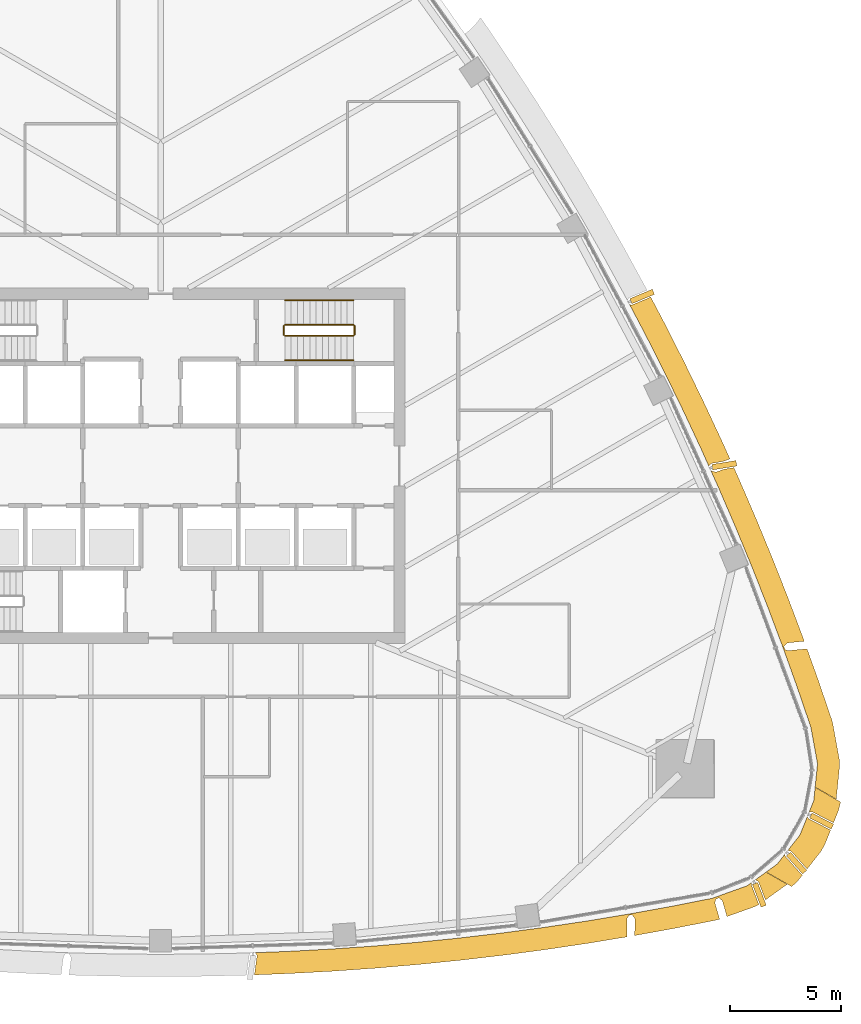
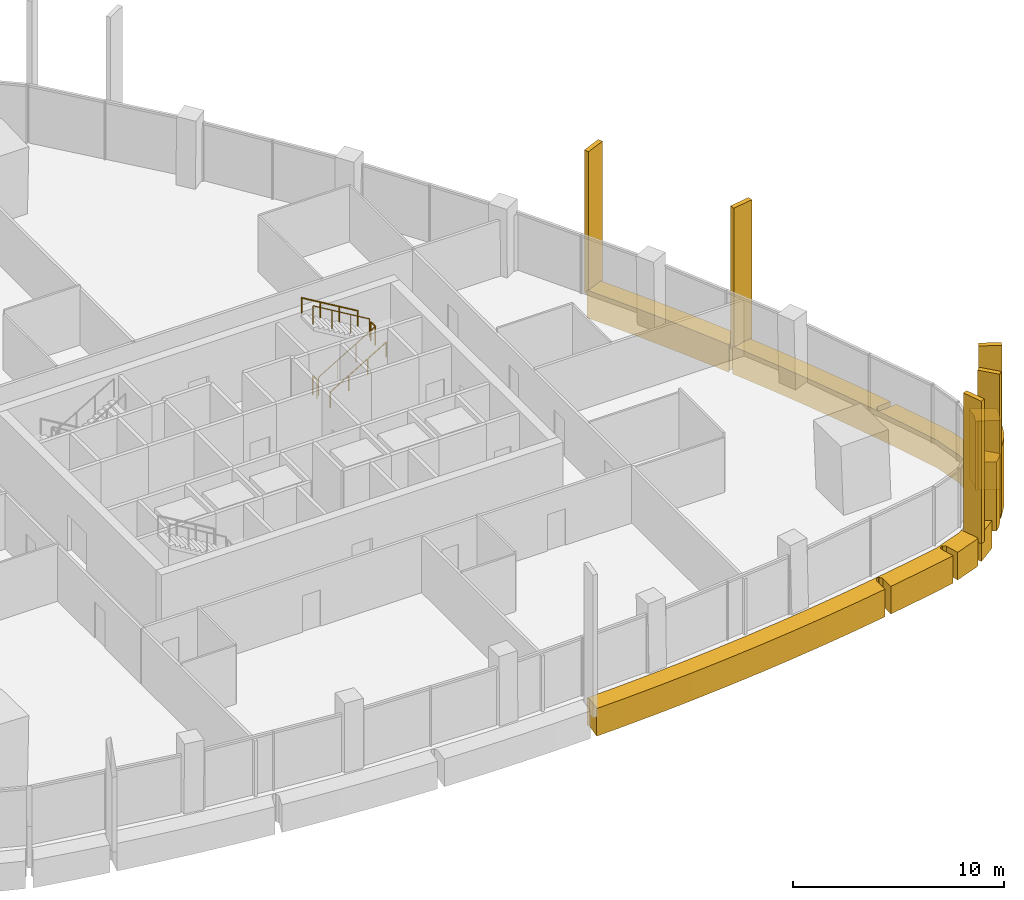
# One storey, part 17 of 19: 12 coverings, 6 railings.
"""IFC4 building model written with IfcOpenShell, lengths in metres."""

from ifc_helpers import new_model, si_unit, direction, frame, origin, origin_2d, place, context, subcontext, project, spatial, polyline, rectangle, circle, outline, extrude, material, layer, layer_set, material_profile, profile_set, type_object, element, save


model = new_model("IFC4")

# Units and contexts
model_context = context("Model", 3, precision=1e-05, world=origin(), true_north=direction((0.0, 1.0)))
body_context = subcontext(model_context, "Body", "Model", "MODEL_VIEW")
ifc_project = project(units=[si_unit("LENGTHUNIT", "METRE"), si_unit("AREAUNIT", "SQUARE_METRE"), si_unit("VOLUMEUNIT", "CUBIC_METRE"), si_unit("PLANEANGLEUNIT", "RADIAN"), si_unit("MASSUNIT", "GRAM", prefix="KILO")], contexts=[model_context])

# Site, building, storey
site_placement = place(None, origin())
site = spatial("IfcSite", under=ifc_project, at=site_placement, CompositionType="ELEMENT")
building_placement = place(site_placement, origin())
building = spatial("IfcBuilding", under=site, at=building_placement, Name="Sierra Prisma Convention Tower", CompositionType="ELEMENT")
storey_placement = place(building_placement, frame((0.0, 0.0, 177.800048828125)))
storey = spatial("IfcBuildingStorey", under=building, at=storey_placement, Name="L39", CompositionType="ELEMENT", Elevation=177.800048828125)

# Coverings
ifc_material_1 = material(Name="Aluminium composite bronze anodised", Category="aluminium")
ifc_layer_1 = layer(ifc_material_1, 1.199951171875)
ifc_layer_set_1 = layer_set([ifc_layer_1], Name="Bronze corner pier")
covering_type_1 = type_object("IfcCoveringType", Name="Bronze corner pier", PredefinedType="CLADDING", material=ifc_layer_set_1)
covering_1_placement = place(storey_placement, frame((0.0, 0.0, -0.60009765625)))
element("IfcCovering", 1, at=covering_1_placement, inside=storey, type_object=covering_type_1, Name="Corner pier SE L39.1", PredefinedType="CLADDING", context=body_context, shape_type="SweptSolid", body=[
    extrude(outline(polyline([(30.604736328125, -15.12939453125), (30.598388671875, -15.191650390625), (30.517822265625, -15.5185546875), (30.29638671875, -16.068115234375), (29.343505859375, -15.583984375), (29.339111328125, -15.581787109375), (29.334228515625, -15.580322265625), (29.329345703125, -15.5791015625), (29.32421875, -15.57861328125), (29.3193359375, -15.57861328125), (29.314208984375, -15.578857421875), (29.193115234375, -15.59521484375), (29.404541015625, -15.0703125), (29.465576171875, -14.4716796875), (30.604736328125, -15.12939453125)])), origin(), (0.0, 0.0, 1.0), 4.0),
])
covering_2_placement = place(storey_placement, frame((0.0, 0.0, -0.60009765625)))
element("IfcCovering", 2, at=covering_2_placement, inside=storey, type_object=covering_type_1, Name="Corner pier SE L39.2", PredefinedType="CLADDING", context=body_context, shape_type="SweptSolid", body=[
    extrude(outline(polyline([(28.234375, -17.316162109375), (28.78173828125, -16.6171875), (29.11181640625, -15.797607421875), (29.166259765625, -15.879150390625), (29.169189453125, -15.88330078125), (29.172607421875, -15.886962890625), (29.176513671875, -15.890380859375), (29.1806640625, -15.893310546875), (29.18505859375, -15.89599609375), (30.165283203125, -16.39404296875), (29.89501953125, -17.0654296875), (29.7265625, -17.35693359375), (29.105712890625, -18.149658203125), (28.3935546875, -17.356689453125), (28.390380859375, -17.353515625), (28.38671875, -17.3505859375), (28.3828125, -17.347900390625), (28.37890625, -17.345458984375), (28.37451171875, -17.343505859375), (28.3701171875, -17.342041015625), (28.36572265625, -17.341064453125), (28.234375, -17.316162109375)])), origin(), (0.0, 0.0, 1.0), 4.0),
])
covering_3_placement = place(storey_placement, frame((0.0, 0.0, -0.60009765625)))
element("IfcCovering", 3, at=covering_3_placement, inside=storey, type_object=covering_type_1, Name="Corner pier SE L39.3", PredefinedType="CLADDING", context=body_context, shape_type="SweptSolid", body=[
    extrude(outline(polyline([(28.868408203125, -18.408935546875), (28.87158203125, -18.41259765625), (28.87548828125, -18.41552734375), (28.879638671875, -18.418212890625), (28.8837890625, -18.420654296875), (28.888427734375, -18.422607421875), (28.891357421875, -18.423583984375), (28.698486328125, -18.669921875), (28.455810546875, -18.9033203125), (28.40478515625, -18.93994140625), (27.265380859375, -18.281982421875), (27.753662109375, -17.929931640625), (28.099609375, -17.48828125), (28.1220703125, -17.5703125), (28.12353515625, -17.574951171875), (28.12548828125, -17.5791015625), (28.127685546875, -17.583251953125), (28.130126953125, -17.587158203125), (28.13330078125, -17.5908203125), (28.868408203125, -18.408935546875)])), origin(), (0.0, 0.0, 1.0), 4.0),
])
ifc_material_2 = material(Name="Aluminium 6063-T6 bronze anodised", Category="aluminium")
ifc_material_profile = material_profile(ifc_material_2, rectangle(XDim=1.10009765625, YDim=0.25, at=origin_2d()), Name="ALU FIN 1100x250")
ifc_profile_set = profile_set([ifc_material_profile], Name="Aluminium 6063-T6 bronze anodised")
covering_type_2 = type_object("IfcCoveringType", Name="Bronze facade fin", PredefinedType="CLADDING", material=ifc_profile_set)
for number, where, z_axis, x_axis, name in (
    (4, (26.95361328125, -19.310302734375, -0.300048828125), (0.0, 0.0, 1.0), (0.355188975244, -0.934794518525, 0.0), "Fin L39.19"),
    (5, (28.630859375, -17.8828125, -0.300048828125), (0.0, 0.0, 1.0), (0.668287220353, -0.743903347965, 0.0), "Fin L39.20"),
    (6, (29.754638671875, -15.989013671875, -0.300048828125), (0.0, 0.0, 1.0), (0.891520916288, -0.452979531349, 0.0), "Fin L39.21"),
    (7, (25.376708984375, 0.027587890625, -0.300048828125), (0.0, 0.0, 1.0), (0.987150287983, 0.159794583557, 0.0), "Fin L39.27"),
    (8, (21.6767578125, 7.624267578125, -0.300048828125), (0.0, 0.0, 1.0), (0.92208418272, 0.38698935383, 0.0), "Fin L39.30"),
):
    element("IfcCovering", number, at=place(storey_placement, frame(where, z_axis=z_axis, x_axis=x_axis)), inside=storey, type_object=covering_type_2, Name=name, ObjectType="FIN", PredefinedType="CLADDING", context=body_context, shape_type="SweptSolid", body=[
        extrude(rectangle(XDim=1.10009765625, YDim=0.25, at=origin_2d()), origin(), (0.0, 0.0, 1.0), 8.25),
    ])
ifc_material_3 = material(Name="Aluminium composite bronze anodised", Category="aluminium")
ifc_layer_2 = layer(ifc_material_3, 1.0)
ifc_layer_set_2 = layer_set([ifc_layer_2], Name="Bronze spandrel band")
covering_type_3 = type_object("IfcCoveringType", Name="Bronze spandrel band", PredefinedType="CLADDING", material=ifc_layer_set_2)
covering_4_placement = place(storey_placement, frame((0.0, 0.0, -1.60009765625)))
element("IfcCovering", 9, at=covering_4_placement, inside=storey, type_object=covering_type_3, Name="Spandrel band L39.4", PredefinedType="CLADDING", context=body_context, shape_type="SweptSolid", body=[
    extrude(outline(polyline([(24.791748046875, 0.10791015625), (24.787353515625, 0.10546875), (24.783203125, 0.1025390625), (24.779541015625, 0.099365234375), (24.776123046875, 0.095703125), (24.681396484375, -0.013671875), (24.33935546875, 0.747314453125), (23.52392578125, 2.489013671875), (22.681396484375, 4.218017578125), (21.81201171875, 5.933349609375), (21.11474609375, 7.2578125), (21.212158203125, 7.24658203125), (21.21728515625, 7.24609375), (21.222412109375, 7.246337890625), (21.2275390625, 7.2470703125), (21.232421875, 7.248291015625), (21.2373046875, 7.25), (22.06591796875, 7.597900390625), (22.697021484375, 6.3994140625), (22.7041015625, 6.385498046875), (23.573486328125, 4.669921875), (23.580322265625, 4.656005859375), (24.4228515625, 2.92724609375), (24.4296875, 2.9130859375), (25.2451171875, 1.17138671875), (25.251708984375, 1.1572265625), (25.632080078125, 0.310302734375), (25.28857421875, 0.1904296875), (24.805908203125, 0.1123046875), (24.801025390625, 0.111328125), (24.79638671875, 0.10986328125), (24.791748046875, 0.10791015625)])), origin(), (0.0, 0.0, 1.0), 1.60009765625),
])
covering_5_placement = place(storey_placement, frame((0.0, 0.0, -1.60009765625)))
element("IfcCovering", 10, at=covering_5_placement, inside=storey, type_object=covering_type_3, Name="Spandrel band L39.5", PredefinedType="CLADDING", context=body_context, shape_type="SweptSolid", body=[
    extrude(outline(polyline([(25.019775390625, -0.273681640625), (25.374755859375, -0.150146484375), (25.8076171875, -0.080078125), (26.039794921875, -0.59716796875), (26.046142578125, -0.611328125), (26.806884765625, -2.377685546875), (26.81298828125, -2.39208984375), (27.5458984375, -4.169921875), (27.552001953125, -4.1845703125), (28.257080078125, -5.9736328125), (28.2626953125, -5.98828125), (28.940185546875, -7.7880859375), (28.945556640625, -7.802734375), (28.978759765625, -7.895263671875), (28.230712890625, -7.96923828125), (28.2255859375, -7.969970703125), (28.220947265625, -7.97119140625), (28.21630859375, -7.972900390625), (28.2119140625, -7.97509765625), (28.20751953125, -7.9775390625), (28.20361328125, -7.980712890625), (28.199951171875, -7.98388671875), (28.082275390625, -8.103759765625), (28.0791015625, -8.107421875), (28.076416015625, -8.111083984375), (28.073974609375, -8.115234375), (28.07177734375, -8.119384765625), (28.0703125, -8.123779296875), (28.069091796875, -8.12841796875), (28.068115234375, -8.13330078125), (28.06787109375, -8.137939453125), (28.068115234375, -8.142578125), (28.068603515625, -8.147216796875), (28.069580078125, -8.152099609375), (28.071044921875, -8.156494140625), (28.1064453125, -8.25), (28.1083984375, -8.254638671875), (28.11083984375, -8.2587890625), (28.113525390625, -8.262939453125), (28.11669921875, -8.2666015625), (28.120361328125, -8.270263671875), (28.124267578125, -8.273193359375), (28.12841796875, -8.27587890625), (28.1328125, -8.278076171875), (28.137451171875, -8.27978515625), (28.244384765625, -8.315185546875), (28.24951171875, -8.316650390625), (28.254638671875, -8.3173828125), (28.259765625, -8.317626953125), (28.264892578125, -8.3173828125), (29.1005859375, -8.235107421875), (29.5947265625, -9.613037109375), (29.599853515625, -9.627685546875), (30.220947265625, -11.447998046875), (30.25830078125, -11.591552734375), (30.55712890625, -13.232177734375), (30.568115234375, -13.512451171875), (30.416015625, -15.0087890625), (29.466552734375, -14.460693359375), (29.5732421875, -13.411376953125), (29.2744140625, -11.770751953125), (28.653564453125, -9.95068359375), (28.00439453125, -8.140380859375), (27.326904296875, -6.34033203125), (26.62158203125, -4.55126953125), (25.888427734375, -2.773193359375), (25.127685546875, -1.0068359375), (24.771240234375, -0.2138671875), (24.83056640625, -0.229248046875), (24.83251953125, -0.232177734375), (24.83544921875, -0.236083984375), (24.8388671875, -0.239501953125), (24.84228515625, -0.24267578125), (24.846435546875, -0.24560546875), (24.8505859375, -0.247802734375), (24.85498046875, -0.25), (24.859619140625, -0.25146484375), (24.864501953125, -0.25244140625), (24.994384765625, -0.27587890625), (24.99951171875, -0.2763671875), (25.004638671875, -0.276611328125), (25.009765625, -0.276123046875), (25.014892578125, -0.275146484375), (25.019775390625, -0.273681640625)])), origin(), (0.0, 0.0, 1.0), 1.60009765625),
])
covering_6_placement = place(storey_placement, frame((0.0, 0.0, -1.60009765625)))
element("IfcCovering", 11, at=covering_6_placement, inside=storey, type_object=covering_type_3, Name="Spandrel band L39.6", PredefinedType="CLADDING", context=body_context, shape_type="SweptSolid", body=[
    extrude(outline(polyline([(26.917236328125, -18.72509765625), (26.91455078125, -18.720947265625), (26.9111328125, -18.71728515625), (26.90771484375, -18.713623046875), (26.90380859375, -18.710693359375), (26.8994140625, -18.7080078125), (26.773193359375, -18.63720703125), (27.256591796875, -18.28857421875), (28.2060546875, -18.836669921875), (27.228759765625, -19.541748046875), (26.921630859375, -18.73388671875), (26.919921875, -18.729248046875), (26.917236328125, -18.72509765625)])), origin(), (0.0, 0.0, 1.0), 1.60009765625),
])
covering_7_placement = place(storey_placement, frame((0.0, 0.0, -1.60009765625)))
element("IfcCovering", 12, at=covering_7_placement, inside=storey, type_object=covering_type_3, Name="Spandrel band L39.7", PredefinedType="CLADDING", context=body_context, shape_type="SweptSolid", body=[
    extrude(outline(polyline([(25.123779296875, -19.457763671875), (25.118896484375, -19.458251953125), (25.1142578125, -19.45947265625), (25.109619140625, -19.4609375), (25.0166015625, -19.497314453125), (25.01220703125, -19.499267578125), (25.0078125, -19.501708984375), (25.00390625, -19.50439453125), (25.000244140625, -19.507568359375), (24.996826171875, -19.510986328125), (24.993896484375, -19.514892578125), (24.9912109375, -19.518798828125), (24.989013671875, -19.523193359375), (24.9873046875, -19.52783203125), (24.986083984375, -19.532470703125), (24.9560546875, -19.6611328125), (24.955078125, -19.666259765625), (24.954833984375, -19.67138671875), (24.955078125, -19.676513671875), (24.95556640625, -19.681396484375), (24.956787109375, -19.6865234375), (25.16748046875, -20.40869140625), (25.024658203125, -20.447998046875), (23.137939453125, -20.8203125), (23.12255859375, -20.8232421875), (21.343017578125, -21.145751953125), (21.351318359375, -20.3935546875), (21.35107421875, -20.388916015625), (21.3505859375, -20.384521484375), (21.349609375, -20.3798828125), (21.347900390625, -20.37548828125), (21.34619140625, -20.37109375), (21.343994140625, -20.3671875), (21.34130859375, -20.36328125), (21.24609375, -20.2353515625), (21.242919921875, -20.2314453125), (21.239501953125, -20.22802734375), (21.235595703125, -20.224853515625), (21.2314453125, -20.22216796875), (21.22705078125, -20.2197265625), (21.222412109375, -20.218017578125), (21.2177734375, -20.216552734375), (21.212890625, -20.215576171875), (21.2080078125, -20.215087890625), (21.202880859375, -20.21533203125), (21.197998046875, -20.2158203125), (21.099365234375, -20.232177734375), (21.09423828125, -20.233154296875), (21.08935546875, -20.23486328125), (21.084716796875, -20.23681640625), (21.080078125, -20.239501953125), (21.075927734375, -20.24267578125), (21.072021484375, -20.24609375), (21.068603515625, -20.25), (21.065673828125, -20.25390625), (21.06298828125, -20.258544921875), (21.0068359375, -20.367431640625), (21.0048828125, -20.37158203125), (21.00341796875, -20.3759765625), (21.002197265625, -20.380615234375), (21.00146484375, -20.385009765625), (21.001220703125, -20.3896484375), (20.9921875, -21.20556640625), (19.3173828125, -21.482177734375), (19.302001953125, -21.484619140625), (17.39990234375, -21.768310546875), (17.38427734375, -21.7705078125), (15.47802734375, -22.024658203125), (15.46240234375, -22.026611328125), (13.552490234375, -22.2509765625), (13.537109375, -22.252685546875), (11.62353515625, -22.447021484375), (11.608154296875, -22.448486328125), (9.69189453125, -22.61328125), (9.676513671875, -22.614501953125), (7.758056640625, -22.749267578125), (7.742431640625, -22.750244140625), (5.822021484375, -22.85498046875), (5.806396484375, -22.855712890625), (4.222900390625, -22.91748046875), (4.339599609375, -22.062744140625), (4.340087890625, -22.05810546875), (4.340087890625, -22.053466796875), (4.339599609375, -22.048828125), (4.338623046875, -22.044189453125), (4.33740234375, -22.039794921875), (4.335693359375, -22.035400390625), (4.33349609375, -22.03125), (4.267578125, -21.9150390625), (5.767578125, -21.856689453125), (7.68798828125, -21.751708984375), (9.6064453125, -21.616943359375), (11.5224609375, -21.4521484375), (13.435791015625, -21.2578125), (15.345947265625, -21.033447265625), (17.252197265625, -20.779296875), (19.154296875, -20.49560546875), (21.052001953125, -20.18212890625), (22.9443359375, -19.83935546875), (24.8310546875, -19.467041015625), (26.401123046875, -18.905517578125), (26.59521484375, -18.765625), (26.59130859375, -18.837646484375), (26.59130859375, -18.843017578125), (26.591796875, -18.84814453125), (26.593017578125, -18.853271484375), (26.594482421875, -18.858154296875), (26.931640625, -19.745361328125), (26.73779296875, -19.84716796875), (25.497802734375, -20.29052734375), (25.292724609375, -19.58837890625), (25.291015625, -19.583740234375), (25.2890625, -19.5791015625), (25.286376953125, -19.57470703125), (25.283447265625, -19.57080078125), (25.280029296875, -19.56689453125), (25.2763671875, -19.563720703125), (25.159423828125, -19.46875), (25.155517578125, -19.4658203125), (25.1513671875, -19.46337890625), (25.147216796875, -19.461181640625), (25.142578125, -19.459716796875), (25.137939453125, -19.45849609375), (25.13330078125, -19.457763671875), (25.12841796875, -19.45751953125), (25.123779296875, -19.457763671875)])), origin(), (0.0, 0.0, 1.0), 1.60009765625),
])

# Railings
ifc_material_4 = material(Name="Stainless steel", Category="steel")
railing_type_1 = type_object("IfcRailingType", Name="Exit stair handrail", PredefinedType="HANDRAIL", material=ifc_material_4)
railing_1_placement = place(storey_placement, frame((5.60009765625, 4.75, 0.16650390625)))
element("IfcRailing", 13, at=railing_1_placement, inside=storey, type_object=railing_type_1, Name="L39 S4 stair handrail 1", PredefinedType="HANDRAIL", context=body_context, shape_type="SweptSolid", body=[
    extrude(circle(Radius=0.02392578125, at=origin_2d()), frame((0.0, 0.0, 0.8759765625), z_axis=(0.859260807169, 0.0, 0.511537745687), x_axis=(0.0, 1.0, 0.0)), (0.0, 0.0, 1.0), 3.584228515625),
    extrude(circle(Radius=0.02099609375, at=origin_2d()), origin(), (0.0, 0.0, 1.0), 0.851806640625),
    extrude(circle(Radius=0.02099609375, at=origin_2d()), frame((1.026611328125, 0.0, 0.611083984375)), (0.0, 0.0, 1.0), 0.851806640625),
    extrude(circle(Radius=0.02099609375, at=origin_2d()), frame((2.05322265625, 0.0, 1.222412109375)), (0.0, 0.0, 1.0), 0.851806640625),
    extrude(circle(Radius=0.02099609375, at=origin_2d()), frame((3.079833984375, 0.0, 1.83349609375)), (0.0, 0.0, 1.0), 0.851806640625),
])
railing_2_placement = place(storey_placement, frame((8.679931640625, 7.449951171875, 2.16650390625)))
element("IfcRailing", 14, at=railing_2_placement, inside=storey, type_object=railing_type_1, Name="L39 S4 stair handrail 2", PredefinedType="HANDRAIL", context=body_context, shape_type="SweptSolid", body=[
    extrude(circle(Radius=0.02392578125, at=origin_2d()), frame((0.0, 0.0, 0.8759765625), z_axis=(-0.859260807169, 0.0, 0.511537745687), x_axis=(0.0, -1.0, 0.0)), (0.0, 0.0, 1.0), 3.584228515625),
    extrude(circle(Radius=0.02099609375, at=origin_2d()), origin(), (0.0, 0.0, 1.0), 0.851806640625),
    extrude(circle(Radius=0.02099609375, at=origin_2d()), frame((-1.026611328125, 0.0, 0.611083984375)), (0.0, 0.0, 1.0), 0.851806640625),
    extrude(circle(Radius=0.02099609375, at=origin_2d()), frame((-2.05322265625, 0.0, 1.222412109375)), (0.0, 0.0, 1.0), 0.851806640625),
    extrude(circle(Radius=0.02099609375, at=origin_2d()), frame((-3.079833984375, 0.0, 1.83349609375)), (0.0, 0.0, 1.0), 0.851806640625),
])
ifc_material_5 = material(Name="Stainless steel", Category="steel")
railing_type_2 = type_object("IfcRailingType", Name="Stair guard 1100", PredefinedType="GUARDRAIL", material=ifc_material_5)
railing_3_placement = place(storey_placement, frame((5.60009765625, 5.85009765625, 0.16650390625)))
element("IfcRailing", 15, at=railing_3_placement, inside=storey, type_object=railing_type_2, Name="L39 S4 stair guard 1", PredefinedType="GUARDRAIL", context=body_context, shape_type="SweptSolid", body=[
    extrude(circle(Radius=0.02392578125, at=origin_2d()), frame((0.0, 0.0, 1.076171875), z_axis=(0.859260807169, 0.0, 0.511537745687), x_axis=(0.0, 1.0, 0.0)), (0.0, 0.0, 1.0), 3.584228515625),
    extrude(circle(Radius=0.02099609375, at=origin_2d()), origin(), (0.0, 0.0, 1.0), 1.052001953125),
    extrude(circle(Radius=0.02099609375, at=origin_2d()), frame((1.026611328125, 0.0, 0.611083984375)), (0.0, 0.0, 1.0), 1.052001953125),
    extrude(circle(Radius=0.02099609375, at=origin_2d()), frame((2.05322265625, 0.0, 1.222412109375)), (0.0, 0.0, 1.0), 1.052001953125),
    extrude(circle(Radius=0.02099609375, at=origin_2d()), frame((3.079833984375, 0.0, 1.83349609375)), (0.0, 0.0, 1.0), 1.052001953125),
])
railing_4_placement = place(storey_placement, frame((8.72998046875, 5.89990234375, 2.0)))
element("IfcRailing", 16, at=railing_4_placement, inside=storey, type_object=railing_type_2, Name="L39 S4 stair guard 2", PredefinedType="GUARDRAIL", context=body_context, shape_type="SweptSolid", body=[
    extrude(circle(Radius=0.02392578125, at=origin_2d()), frame((0.0, 0.0, 1.076171875), z_axis=(0.0, 1.0, 0.0), x_axis=(-1.0, 0.0, 0.0)), (0.0, 0.0, 1.0), 0.400146484375),
    extrude(circle(Radius=0.02099609375, at=origin_2d()), origin(), (0.0, 0.0, 1.0), 1.052001953125),
    extrude(circle(Radius=0.02099609375, at=origin_2d()), frame((0.0, 0.400146484375, 0.0)), (0.0, 0.0, 1.0), 1.052001953125),
])
railing_5_placement = place(storey_placement, frame((8.679931640625, 6.35009765625, 2.16650390625)))
element("IfcRailing", 17, at=railing_5_placement, inside=storey, type_object=railing_type_2, Name="L39 S4 stair guard 3", PredefinedType="GUARDRAIL", context=body_context, shape_type="SweptSolid", body=[
    extrude(circle(Radius=0.02392578125, at=origin_2d()), frame((0.0, 0.0, 1.076171875), z_axis=(-0.859260807169, 0.0, 0.511537745687), x_axis=(0.0, -1.0, 0.0)), (0.0, 0.0, 1.0), 3.584228515625),
    extrude(circle(Radius=0.02099609375, at=origin_2d()), origin(), (0.0, 0.0, 1.0), 1.052001953125),
    extrude(circle(Radius=0.02099609375, at=origin_2d()), frame((-1.026611328125, 0.0, 0.611083984375)), (0.0, 0.0, 1.0), 1.052001953125),
    extrude(circle(Radius=0.02099609375, at=origin_2d()), frame((-2.05322265625, 0.0, 1.222412109375)), (0.0, 0.0, 1.0), 1.052001953125),
    extrude(circle(Radius=0.02099609375, at=origin_2d()), frame((-3.079833984375, 0.0, 1.83349609375)), (0.0, 0.0, 1.0), 1.052001953125),
])
railing_6_placement = place(storey_placement, frame((5.550048828125, 5.89990234375, 0.0)))
element("IfcRailing", 18, at=railing_6_placement, inside=storey, type_object=railing_type_2, Name="L39 S4 stair guard 4", PredefinedType="GUARDRAIL", context=body_context, shape_type="SweptSolid", body=[
    extrude(circle(Radius=0.02392578125, at=origin_2d()), frame((0.0, 0.0, 1.076171875), z_axis=(0.0, 1.0, 0.0), x_axis=(-1.0, 0.0, 0.0)), (0.0, 0.0, 1.0), 0.400146484375),
    extrude(circle(Radius=0.02099609375, at=origin_2d()), origin(), (0.0, 0.0, 1.0), 1.052001953125),
    extrude(circle(Radius=0.02099609375, at=origin_2d()), frame((0.0, 0.400146484375, 0.0)), (0.0, 0.0, 1.0), 1.052001953125),
])

save(model, "model.ifc")
